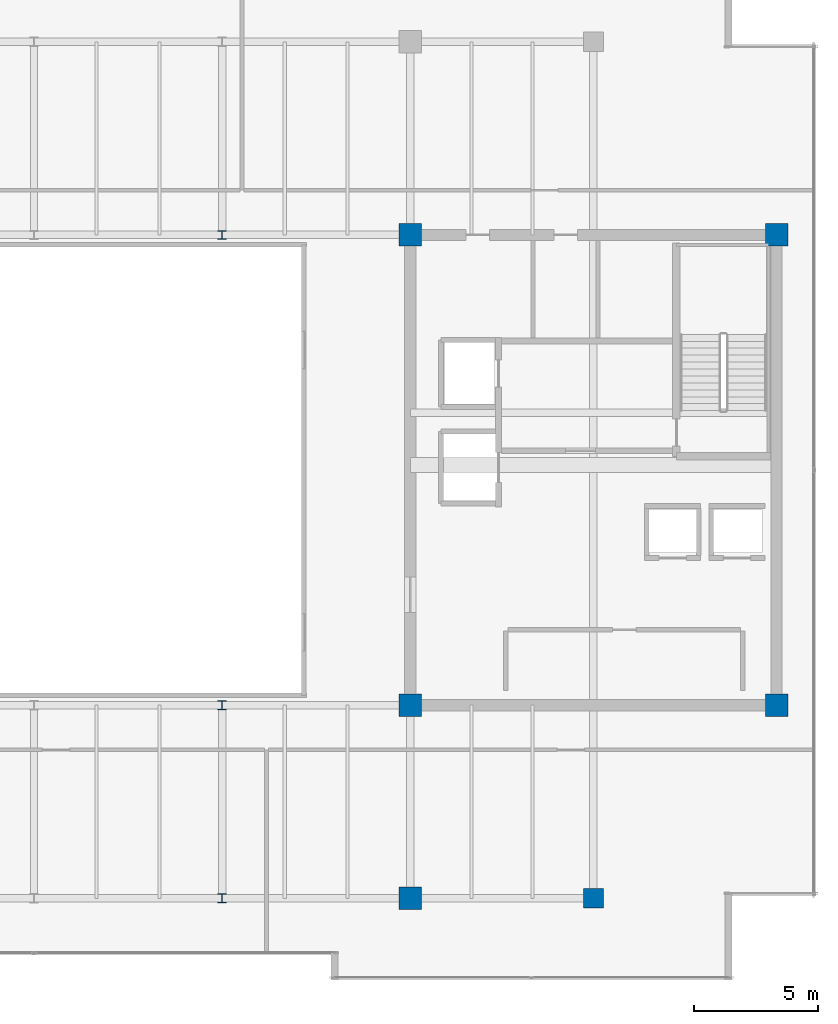
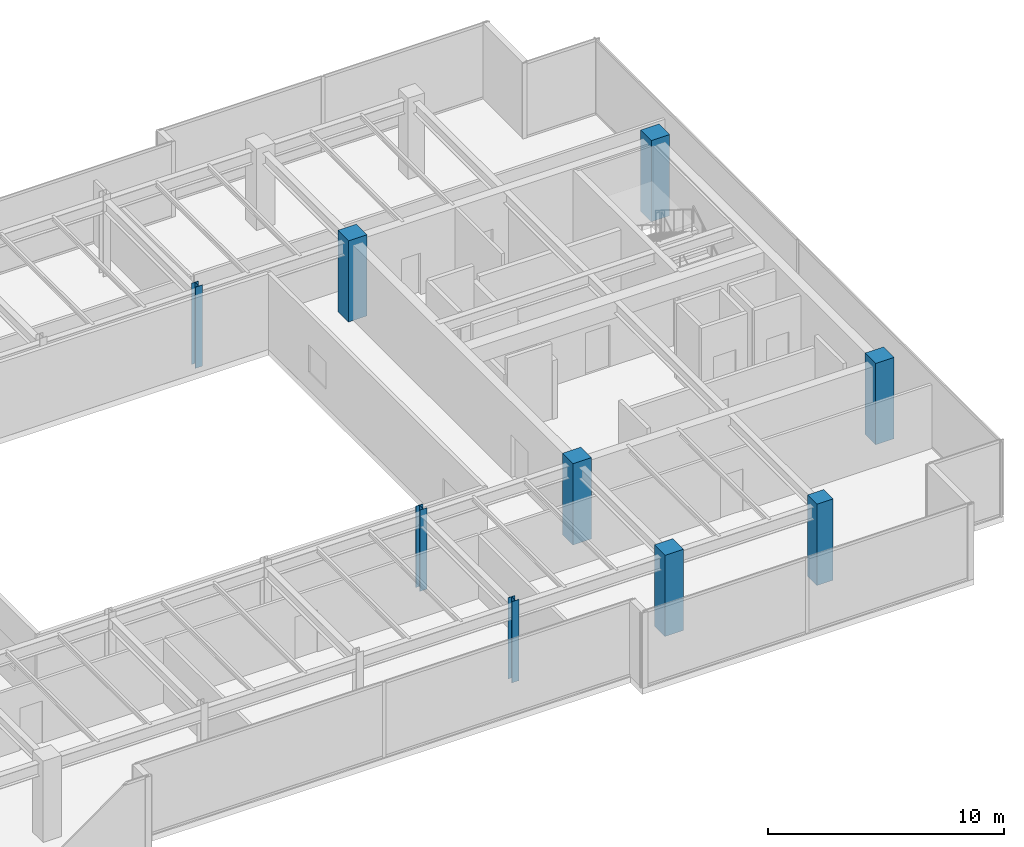
# One storey, part 2 of 31: 9 columns.
"""IFC4 building model written with IfcOpenShell, lengths in metres."""

from ifc_helpers import new_model, si_unit, direction, frame, origin, origin_2d, place, context, subcontext, project, spatial, rectangle, i_section, extrude, source, transform, mapped, material, material_profile, profile_set, type_object, type_shapes, element, save


model = new_model("IFC4")

# Units and contexts
model_context = context("Model", 3, precision=1e-05, world=origin(), true_north=direction((0.0, 1.0)))
body_context = subcontext(model_context, "Body", "Model", "MODEL_VIEW")
ifc_project = project(units=[si_unit("LENGTHUNIT", "METRE"), si_unit("AREAUNIT", "SQUARE_METRE"), si_unit("VOLUMEUNIT", "CUBIC_METRE"), si_unit("PLANEANGLEUNIT", "RADIAN"), si_unit("MASSUNIT", "GRAM", prefix="KILO")], contexts=[model_context])

# Site, building, storey
site_placement = place(None, origin())
site = spatial("IfcSite", under=ifc_project, at=site_placement, CompositionType="ELEMENT")
building_placement = place(site_placement, origin())
building = spatial("IfcBuilding", under=site, at=building_placement, Name="Haelvirn Gate Laboratories", CompositionType="ELEMENT")
storey_placement = place(building_placement, frame((0.0, 0.0, 318.60009765625)))
storey = spatial("IfcBuildingStorey", under=building, at=storey_placement, Name="L76", CompositionType="ELEMENT", Elevation=318.60009765625)

# Columns
ifc_material_1 = material(Name="Concrete C50/60", Category="concrete")
ifc_material_profile_1 = material_profile(ifc_material_1, rectangle(XDim=0.800048828125, YDim=0.800048828125, at=origin_2d()), Name="RC-800x800")
ifc_profile_set_1 = profile_set([ifc_material_profile_1], Name="Concrete C50/60")
column_type_1 = type_object("IfcColumnType", Name="COL-RC-800", PredefinedType="COLUMN", material=ifc_profile_set_1)
shared_shape_1 = source(origin(), body_context, "Body", "SweptSolid", [
    extrude(rectangle(XDim=0.800048828125, YDim=0.800048828125, at=origin_2d()), origin(), (0.0, 0.0, 1.0), 4.199951171875),
])
type_shapes(column_type_1, [shared_shape_1])
column_placement = place(storey_placement, frame((60.0, 7.0, 0.0), z_axis=(0.0, 0.0, 1.0), x_axis=(1.0, 0.0, 0.0)))
element("IfcColumn", 1, at=column_placement, inside=storey, type_object=column_type_1, Name="L76 Column 9B", PredefinedType="COLUMN", context=body_context, shape_type="MappedRepresentation", body=[
    mapped(shared_shape_1, transform((0.0, 0.0, 0.0), scale=1.0)),
])
ifc_material_profile_2 = material_profile(ifc_material_1, rectangle(XDim=0.89990234375, YDim=0.89990234375, at=origin_2d()), Name="RC-900x900")
ifc_profile_set_2 = profile_set([ifc_material_profile_2], Name="Concrete C50/60")
column_type_2 = type_object("IfcColumnType", Name="COL-RC-900", PredefinedType="COLUMN", material=ifc_profile_set_2)
shared_shape_2 = source(origin(), body_context, "Body", "SweptSolid", [
    extrude(rectangle(XDim=0.89990234375, YDim=0.89990234375, at=origin_2d()), origin(), (0.0, 0.0, 1.0), 4.199951171875),
])
type_shapes(column_type_2, [shared_shape_2])
for number, where, z_axis, x_axis, name in (
    (2, (52.60009765625, 7.0, 0.0), (0.0, 0.0, 1.0), (1.0, 0.0, 0.0), "L76 Column 8B"),
    (3, (52.60009765625, 14.800048828125, 0.0), (0.0, 0.0, 1.0), (1.0, 0.0, 0.0), "L76 Column 8C"),
    (4, (67.39990234375, 14.800048828125, 0.0), (0.0, 0.0, 1.0), (1.0, 0.0, 0.0), "L76 Column 10C"),
    (5, (52.60009765625, 33.800048828125, 0.0), (0.0, 0.0, 1.0), (1.0, 0.0, 0.0), "L76 Column 8F"),
    (6, (67.39990234375, 33.800048828125, 0.0), (0.0, 0.0, 1.0), (1.0, 0.0, 0.0), "L76 Column 10F"),
):
    element("IfcColumn", number, at=place(storey_placement, frame(where, z_axis=z_axis, x_axis=x_axis)), inside=storey, type_object=column_type_2, Name=name, PredefinedType="COLUMN", context=body_context, shape_type="MappedRepresentation", body=[
        mapped(shared_shape_2, transform((0.0, 0.0, 0.0), scale=1.0)),
    ])
ifc_material_2 = material(Name="Steel SM355", Category="steel")
ifc_material_profile_3 = material_profile(ifc_material_2, i_section(OverallWidth=0.35009765625, OverallDepth=0.35009765625, WebThickness=0.011962890625, FlangeThickness=0.01904296875, at=origin_2d()), Name="H-350x350x12x19")
ifc_profile_set_3 = profile_set([ifc_material_profile_3], Name="Steel SM355")
column_type_3 = type_object("IfcColumnType", Name="COL-H-350", PredefinedType="COLUMN", material=ifc_profile_set_3)
shared_shape_3 = source(origin(), body_context, "Body", "SweptSolid", [
    extrude(i_section(OverallWidth=0.35009765625, OverallDepth=0.35009765625, WebThickness=0.011962890625, FlangeThickness=0.01904296875, at=origin_2d()), origin(), (0.0, 0.0, 1.0), 4.199951171875),
])
type_shapes(column_type_3, [shared_shape_3])
for number, where, z_axis, x_axis, name in (
    (7, (45.0, 7.0, 0.0), (0.0, 0.0, 1.0), (1.0, 0.0, 0.0), "L76 Column 7B"),
    (8, (45.0, 14.800048828125, 0.0), (0.0, 0.0, 1.0), (1.0, 0.0, 0.0), "L76 Column 7C"),
    (9, (45.0, 33.800048828125, 0.0), (0.0, 0.0, 1.0), (1.0, 0.0, 0.0), "L76 Column 7F"),
):
    element("IfcColumn", number, at=place(storey_placement, frame(where, z_axis=z_axis, x_axis=x_axis)), inside=storey, type_object=column_type_3, Name=name, PredefinedType="COLUMN", context=body_context, shape_type="MappedRepresentation", body=[
        mapped(shared_shape_3, transform((0.0, 0.0, 0.0), scale=1.0)),
    ])

save(model, "model.ifc")
